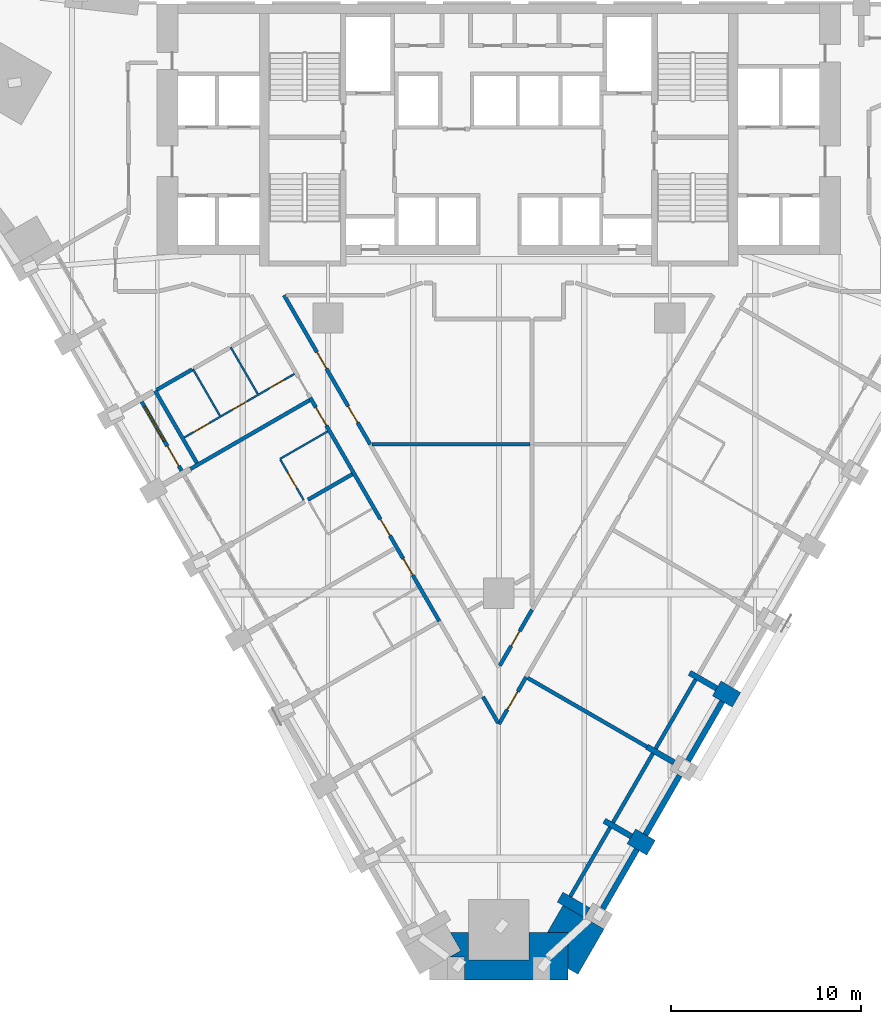
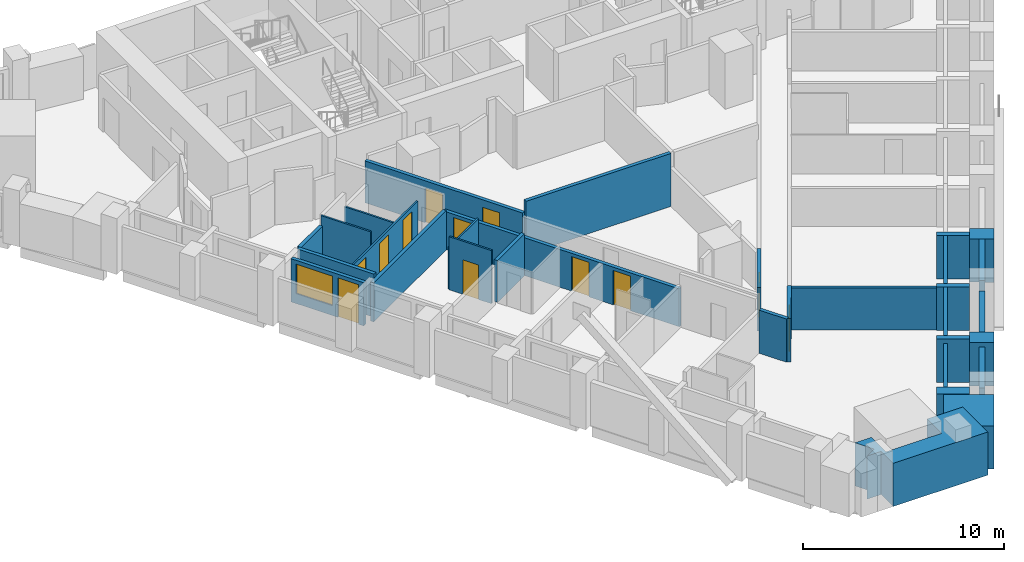
# One storey, part 4 of 11: 31 walls, 12 doors, 1 window, 13 openings.
"""IFC4 building model written with IfcOpenShell, lengths in metres."""

from ifc_helpers import new_model, si_unit, direction, frame, frame_2d, origin, place, context, subcontext, project, spatial, polyline, rectangle, outline, extrude, material, layer, layer_set, type_object, element, fill, save


model = new_model("IFC4")

# Units and contexts
model_context = context("Model", 3, precision=1e-05, world=origin(), true_north=direction((0.0, 1.0)))
body_context = subcontext(model_context, "Body", "Model", "MODEL_VIEW")
ifc_project = project(units=[si_unit("LENGTHUNIT", "METRE"), si_unit("AREAUNIT", "SQUARE_METRE"), si_unit("VOLUMEUNIT", "CUBIC_METRE"), si_unit("PLANEANGLEUNIT", "RADIAN"), si_unit("MASSUNIT", "GRAM", prefix="KILO")], contexts=[model_context])

# Site, building, storey
site_placement = place(None, origin())
site = spatial("IfcSite", under=ifc_project, at=site_placement, CompositionType="ELEMENT")
building_placement = place(site_placement, origin())
building = spatial("IfcBuilding", under=site, at=building_placement, Name="Calabash Gate Tower", CompositionType="ELEMENT")
storey_placement = place(building_placement, frame((0.0, 0.0, 52.800048828125)))
storey = spatial("IfcBuildingStorey", under=building, at=storey_placement, Name="L08", CompositionType="ELEMENT", Elevation=52.800048828125)

# Walls
ifc_material_1 = material(Name="Terracotta brick masonry, exposed face", Category="masonry")
ifc_layer_1 = layer(ifc_material_1, 2.5)
ifc_layer_set_1 = layer_set([ifc_layer_1], Name="Brick corner mass wall 2500")
wall_type_1 = type_object("IfcWallType", Name="Brick corner mass wall 2500", PredefinedType="SOLIDWALL", material=ifc_layer_set_1)
wall_1_placement = place(storey_placement, origin())
element("IfcWall", 1, at=wall_1_placement, inside=storey, type_object=wall_type_1, Name="Brick corner pier S01 2bb", PredefinedType="SOLIDWALL", context=body_context, shape_type="SweptSolid", body=[
    extrude(outline(polyline([(-1.800048828125, -31.18310546875), (-1.800048828125, -32.383056640625), (3.64990234375, -32.383056640625), (3.64990234375, -29.883056640625), (1.60009765625, -29.883056640625), (1.60009765625, -31.3330078125), (-1.60009765625, -31.3330078125), (-1.60009765625, -29.883056640625), (-2.552978515625, -29.883056640625), (-2.004638671875, -30.833251953125), (-2.610595703125, -31.18310546875), (-1.800048828125, -31.18310546875)])), origin(), (0.0, 0.0, 1.0), 2.6298828125),
])
wall_2_placement = place(storey_placement, origin())
element("IfcWall", 2, at=wall_2_placement, inside=storey, type_object=wall_type_1, Name="Brick corner pier S01 2c", PredefinedType="SOLIDWALL", context=body_context, shape_type="SweptSolid", body=[
    extrude(outline(polyline([(4.50537109375, -29.1015625), (3.379638671875, -28.45166015625), (2.552978515625, -29.883056640625), (3.64990234375, -29.883056640625), (3.64990234375, -31.783203125), (4.169677734375, -32.083251953125), (5.54443359375, -29.70166015625), (4.50537109375, -29.101806640625), (4.50537109375, -29.1015625)])), origin(), (0.0, 0.0, 1.0), 2.6298828125),
])
ifc_material_2 = material(Name="Terracotta brick masonry, exposed face", Category="masonry")
ifc_layer_2 = layer(ifc_material_2, 1.199951171875)
ifc_layer_set_2 = layer_set([ifc_layer_2], Name="Brick end wall 1200")
wall_type_2 = type_object("IfcWallType", Name="Brick end wall 1200", PredefinedType="SOLIDWALL", material=ifc_layer_set_2)
for number, where, z_axis, x_axis, name in (
    (3, (6.98046875, -24.814697265625, 0.0), (0.0, 0.0, 1.0), (0.865955154139, -0.50012165622, 0.0), "Brick pier S01 SE2.1"),
    (4, (12.51953125, -17.62060546875, 0.0), (0.0, 0.0, 1.0), (-0.865955154139, 0.50012165622, 0.0), "Brick pier S01 SE2.3"),
):
    element("IfcWall", number, at=place(storey_placement, frame(where, z_axis=z_axis, x_axis=x_axis)), inside=storey, type_object=wall_type_2, Name=name, PredefinedType="SOLIDWALL", context=body_context, shape_type="SweptSolid", body=[
        extrude(rectangle(XDim=1.199951171875, YDim=0.89990234375, at=frame_2d((0.60009765625, 0.0))), origin(), (0.0, 0.0, 1.0), 2.6298828125),
    ])
ifc_material_3 = material(Name="Terracotta brick masonry, exposed face", Category="masonry")
ifc_layer_3 = layer(ifc_material_3, 0.300048828125)
ifc_layer_set_3 = layer_set([ifc_layer_3], Name="Brick infill panel wall 300")
wall_type_3 = type_object("IfcWallType", Name="Brick infill panel wall 300", PredefinedType="SOLIDWALL", material=ifc_layer_set_3)
wall_3_placement = place(storey_placement, frame((5.47509765625, -28.6220703125, 0.0), z_axis=(0.0, 0.0, 1.0), x_axis=(0.499961193289, 0.866047807691, 0.0)))
element("IfcWall", 5, at=wall_3_placement, inside=storey, type_object=wall_type_3, Name="Brick panel S01 SE2.1", PredefinedType="SOLIDWALL", context=body_context, shape_type="SweptSolid", body=[
    extrude(rectangle(XDim=3.599853515625, YDim=0.300048828125, at=frame_2d((1.7998046875, 0.0))), origin(), (0.0, 0.0, 1.0), 2.3740234375),
])
for number, where, z_axis, x_axis, name in (
    (6, (7.72509765625, -24.72509765625, 0.0), (0.0, 0.0, 1.0), (0.499961193289, 0.866047807691, 0.0), "Brick panel S01 SE2.2"),
    (7, (9.97509765625, -20.827880859375, 0.0), (0.0, 0.0, 1.0), (0.499961193289, 0.866047807691, 0.0), "Brick panel S01 SE2.3"),
):
    element("IfcWall", number, at=place(storey_placement, frame(where, z_axis=z_axis, x_axis=x_axis)), inside=storey, type_object=wall_type_3, Name=name, PredefinedType="SOLIDWALL", context=body_context, shape_type="SweptSolid", body=[
        extrude(rectangle(XDim=3.599853515625, YDim=0.300048828125, at=frame_2d((1.7998046875, 0.0))), origin(), (0.0, 0.0, 1.0), 2.6298828125),
    ])
ifc_material_4 = material(Name="Terracotta brick masonry, exposed face", Category="masonry")
ifc_layer_4 = layer(ifc_material_4, 0.300048828125)
ifc_layer_set_4 = layer_set([ifc_layer_4], Name="Brick loggia cheek wall 300")
wall_type_4 = type_object("IfcWallType", Name="Brick loggia cheek wall 300", PredefinedType="SOLIDWALL", material=ifc_layer_set_4)
wall_4_placement = place(storey_placement, frame((3.226318359375, -28.016845703125, 0.0), z_axis=(0.0, 0.0, 1.0), x_axis=(0.866040211805, -0.499974350878, 0.0)))
element("IfcWall", 8, at=wall_4_placement, inside=storey, type_object=wall_type_4, Name="Loggia cheek S01 SE2.0", PredefinedType="SOLIDWALL", context=body_context, shape_type="SweptSolid", body=[
    extrude(rectangle(XDim=1.64990234375, YDim=0.60009765625, at=frame_2d((0.824951171875, 0.0))), origin(), (0.0, 0.0, 1.0), 2.64990234375),
])
wall_5_placement = place(storey_placement, frame((6.98046875, -24.814697265625, 0.0), z_axis=(0.0, 0.0, 1.0), x_axis=(-0.866040211805, 0.499974350878, 0.0)))
element("IfcWall", 9, at=wall_5_placement, inside=storey, type_object=wall_type_4, Name="Loggia cheek S01 SE2.1", PredefinedType="SOLIDWALL", context=body_context, shape_type="SweptSolid", body=[
    extrude(rectangle(XDim=1.64990234375, YDim=0.300048828125, at=frame_2d((0.824951171875, 0.0))), origin(), (0.0, 0.0, 1.0), 2.64990234375),
])
wall_6_placement = place(storey_placement, frame((7.801513671875, -20.092529296875, 0.0), z_axis=(0.0, 0.0, 1.0), x_axis=(0.865976140824, -0.500085316245, 0.0)))
element("IfcWall", 10, at=wall_6_placement, inside=storey, type_object=wall_type_4, Name="Loggia cheek S01 SE2.2", PredefinedType="SOLIDWALL", context=body_context, shape_type="SweptSolid", body=[
    extrude(rectangle(XDim=1.650146484375, YDim=0.300048828125, at=frame_2d((0.8251953125, 0.0))), origin(), (0.0, 0.0, 1.0), 2.64990234375),
])
wall_7_placement = place(storey_placement, frame((11.48046875, -17.0205078125, 0.0), z_axis=(0.0, 0.0, 1.0), x_axis=(-0.866040211805, 0.499974350878, 0.0)))
element("IfcWall", 11, at=wall_7_placement, inside=storey, type_object=wall_type_4, Name="Loggia cheek S01 SE2.3", PredefinedType="SOLIDWALL", context=body_context, shape_type="SweptSolid", body=[
    extrude(rectangle(XDim=1.64990234375, YDim=0.300048828125, at=frame_2d((0.824951171875, 0.0))), origin(), (0.0, 0.0, 1.0), 2.64990234375),
])

# Wall, opening, door
ifc_material_5 = material(Name="Gypsum board on steel studs, mineral wool", Category="steel")
ifc_layer_5 = layer(ifc_material_5, 0.10009765625)
ifc_layer_set_5 = layer_set([ifc_layer_5], Name="Partition 100 gypsum board")
wall_type_5 = type_object("IfcWallType", Name="Partition 100 gypsum board", PredefinedType="PARTITIONING", material=ifc_layer_set_5)
wall_8_placement = place(storey_placement, frame((-11.50927734375, -4.970458984375, 0.0), z_axis=(0.0, 0.0, 1.0), x_axis=(0.500018594424, -0.866014668023, 0.0)))
wall_8 = element("IfcWall", 12, at=wall_8_placement, inside=storey, type_object=wall_type_5, Name="Partition", PredefinedType="PARTITIONING", context=body_context, shape_type="SweptSolid", body=[
    extrude(rectangle(XDim=2.4501953125, YDim=0.10009765625, at=frame_2d((1.22509765625, 0.0))), origin(), (0.0, 0.0, 1.0), 3.22998046875),
])
opening_1_placement = place(wall_8_placement, frame((0.800048828125, 0.0, 0.0)))
opening_1 = element("IfcOpeningElement", 13, at=opening_1_placement, cuts=wall_8, Name="Opening 06-08-002", PredefinedType="OPENING", context=body_context, shape_type="SweptSolid", body=[
    extrude(rectangle(XDim=0.89990234375, YDim=2.10009765625, at=frame_2d((0.449951171875, 1.050048828125))), frame((0.0, 0.06005859375, 0.0), z_axis=(0.0, -1.0, 0.0), x_axis=(1.0, 0.0, 0.0)), (0.0, 0.0, 1.0), 0.1201171875),
])
ifc_material_6 = material(Name="Painted timber door", Category="wood")
door_type_1 = type_object("IfcDoorType", Name="GD6 Accessible en-suite door 900x2100", OperationType="NOTDEFINED", PredefinedType="DOOR", material=ifc_material_6)
door_1_placement = place(opening_1_placement, origin())
door_1 = element("IfcDoor", 14, at=door_1_placement, inside=storey, type_object=door_type_1, Name="Accessible en-suite door", OperationType="SINGLE_SWING_LEFT", OverallHeight=2.10009765625, OverallWidth=0.89990234375, PredefinedType="DOOR", context=body_context, shape_type="SweptSolid", body=[
    extrude(rectangle(XDim=0.89990234375, YDim=2.10009765625, at=frame_2d((0.449951171875, 1.050048828125))), frame((0.0, 0.02490234375, 0.0), z_axis=(0.0, -1.0, 0.0), x_axis=(1.0, 0.0, 0.0)), (0.0, 0.0, 1.0), 0.050048828125),
])
fill(opening_1, door_1)

# Wall, openings, doors
wall_9_placement = place(storey_placement, frame((-16.57373046875, -3.79541015625, 0.0), z_axis=(0.0, 0.0, 1.0), x_axis=(0.866015588977, 0.500016999361, 0.0)))
wall_9 = element("IfcWall", 15, at=wall_9_placement, inside=storey, type_object=wall_type_5, Name="Partition", PredefinedType="PARTITIONING", context=body_context, shape_type="SweptSolid", body=[
    extrude(rectangle(XDim=6.696533203125, YDim=0.10009765625, at=frame_2d((3.34814453125, 0.0))), origin(), (0.0, 0.0, 1.0), 2.384033203125),
])
opening_2_placement = place(wall_9_placement, frame((5.1982421875, 0.0, 0.0)))
opening_2 = element("IfcOpeningElement", 16, at=opening_2_placement, cuts=wall_9, Name="Opening 06-08-021", PredefinedType="OPENING", context=body_context, shape_type="SweptSolid", body=[
    extrude(rectangle(XDim=0.89990234375, YDim=2.10009765625, at=frame_2d((0.449951171875, 1.050048828125))), frame((0.0, 0.06005859375, 0.0), z_axis=(0.0, -1.0, 0.0), x_axis=(1.0, 0.0, 0.0)), (0.0, 0.0, 1.0), 0.1201171875),
])
opening_3_placement = place(wall_9_placement, frame((2.898193359375, 0.0, 0.0)))
opening_3 = element("IfcOpeningElement", 17, at=opening_3_placement, cuts=wall_9, Name="Opening 06-08-022", PredefinedType="OPENING", context=body_context, shape_type="SweptSolid", body=[
    extrude(rectangle(XDim=0.89990234375, YDim=2.10009765625, at=frame_2d((0.449951171875, 1.050048828125))), frame((0.0, 0.06005859375, 0.0), z_axis=(0.0, -1.0, 0.0), x_axis=(1.0, 0.0, 0.0)), (0.0, 0.0, 1.0), 0.1201171875),
])
opening_4_placement = place(wall_9_placement, frame((0.548095703125, 0.0, 0.0)))
opening_4 = element("IfcOpeningElement", 18, at=opening_4_placement, cuts=wall_9, Name="Opening 06-08-023", PredefinedType="OPENING", context=body_context, shape_type="SweptSolid", body=[
    extrude(rectangle(XDim=1.0, YDim=2.10009765625, at=frame_2d((0.5, 1.050048828125))), frame((0.0, 0.06005859375, 0.0), z_axis=(0.0, -1.0, 0.0), x_axis=(1.0, 0.0, 0.0)), (0.0, 0.0, 1.0), 0.1201171875),
])
ifc_material_7 = material(Name="Painted timber door", Category="wood")
door_type_2 = type_object("IfcDoorType", Name="WD1 WC door 900x2100", OperationType="NOTDEFINED", PredefinedType="DOOR", material=ifc_material_7)
door_2_placement = place(opening_2_placement, origin())
door_2 = element("IfcDoor", 19, at=door_2_placement, inside=storey, type_object=door_type_2, Name="WC door", OperationType="SINGLE_SWING_RIGHT", OverallHeight=2.10009765625, OverallWidth=0.89990234375, PredefinedType="DOOR", context=body_context, shape_type="SweptSolid", body=[
    extrude(rectangle(XDim=0.89990234375, YDim=2.10009765625, at=frame_2d((0.449951171875, 1.050048828125))), frame((0.0, 0.02490234375, 0.0), z_axis=(0.0, -1.0, 0.0), x_axis=(1.0, 0.0, 0.0)), (0.0, 0.0, 1.0), 0.050048828125),
])
fill(opening_2, door_2)
door_3_placement = place(opening_3_placement, origin())
door_3 = element("IfcDoor", 20, at=door_3_placement, inside=storey, type_object=door_type_2, Name="WC door", OperationType="SINGLE_SWING_RIGHT", OverallHeight=2.10009765625, OverallWidth=0.89990234375, PredefinedType="DOOR", context=body_context, shape_type="SweptSolid", body=[
    extrude(rectangle(XDim=0.89990234375, YDim=2.10009765625, at=frame_2d((0.449951171875, 1.050048828125))), frame((0.0, 0.02490234375, 0.0), z_axis=(0.0, -1.0, 0.0), x_axis=(1.0, 0.0, 0.0)), (0.0, 0.0, 1.0), 0.050048828125),
])
fill(opening_3, door_3)
ifc_material_8 = material(Name="Painted timber door", Category="wood")
door_type_3 = type_object("IfcDoorType", Name="WD2 Accessible WC door 1000x2100", OperationType="NOTDEFINED", PredefinedType="DOOR", material=ifc_material_8)
door_4_placement = place(opening_4_placement, origin())
door_4 = element("IfcDoor", 21, at=door_4_placement, inside=storey, type_object=door_type_3, Name="Accessible WC door", OperationType="SINGLE_SWING_LEFT", OverallHeight=2.10009765625, OverallWidth=1.0, PredefinedType="DOOR", context=body_context, shape_type="SweptSolid", body=[
    extrude(rectangle(XDim=1.0, YDim=2.10009765625, at=frame_2d((0.5, 1.050048828125))), frame((0.0, 0.02490234375, 0.0), z_axis=(0.0, -1.0, 0.0), x_axis=(1.0, 0.0, 0.0)), (0.0, 0.0, 1.0), 0.050048828125),
])
fill(opening_4, door_4)

# Walls
wall_10_placement = place(storey_placement, frame((-11.5341796875, -4.92724609375, 0.0), z_axis=(0.0, 0.0, 1.0), x_axis=(0.866293497561, 0.499535360193, 0.0)))
element("IfcWall", 22, at=wall_10_placement, inside=storey, type_object=wall_type_5, Name="Partition", PredefinedType="PARTITIONING", context=body_context, shape_type="SweptSolid", body=[
    extrude(rectangle(XDim=2.899658203125, YDim=0.10009765625, at=frame_2d((1.44970703125, 0.0))), origin(), (0.0, 0.0, 1.0), 2.5517578125),
])
wall_11_placement = place(storey_placement, frame((-16.121826171875, -0.185302734375, 0.0), z_axis=(0.0, 0.0, 1.0), x_axis=(0.500026428979, -0.866010144469, 0.0)))
element("IfcWall", 23, at=wall_11_placement, inside=storey, type_object=wall_type_5, Name="Partition", PredefinedType="PARTITIONING", context=body_context, shape_type="SweptSolid", body=[
    extrude(rectangle(XDim=2.850341796875, YDim=0.10009765625, at=frame_2d((1.42529296875, 0.0))), origin(), (0.0, 0.0, 1.0), 3.22998046875),
])
wall_12_placement = place(storey_placement, frame((-14.1298828125, 0.964599609375, 0.0), z_axis=(0.0, 0.0, 1.0), x_axis=(0.499962189394, -0.866047232647, 0.0)))
element("IfcWall", 24, at=wall_12_placement, inside=storey, type_object=wall_type_5, Name="Partition", PredefinedType="PARTITIONING", context=body_context, shape_type="SweptSolid", body=[
    extrude(rectangle(XDim=2.850341796875, YDim=0.10009765625, at=frame_2d((1.42529296875, 0.0))), origin(), (0.0, 0.0, 1.0), 2.384033203125),
])

# Wall, opening, door
ifc_material_9 = material(Name="Gypsum board on steel studs, mineral wool", Category="steel")
ifc_layer_6 = layer(ifc_material_9, 0.199951171875)
ifc_layer_set_6 = layer_set([ifc_layer_6], Name="Partition 200 gypsum board EI 60")
wall_type_6 = type_object("IfcWallType", Name="Partition 200 gypsum board EI 60", PredefinedType="PARTITIONING", material=ifc_layer_set_6)
wall_13_placement = place(storey_placement, frame((0.000244140625, -18.905517578125, 0.0), z_axis=(0.0, 0.0, 1.0), x_axis=(0.50046312627, 0.865757852545, 0.0)))
wall_13 = element("IfcWall", 25, at=wall_13_placement, inside=storey, type_object=wall_type_6, Name="Partition", PredefinedType="PARTITIONING", context=body_context, shape_type="SweptSolid", body=[
    extrude(rectangle(XDim=2.871826171875, YDim=0.199951171875, at=frame_2d((1.43603515625, 0.0))), origin(), (0.0, 0.0, 1.0), 2.6279296875),
])
opening_5_placement = place(wall_13_placement, frame((0.88623046875, 0.0, 0.0)))
opening_5 = element("IfcOpeningElement", 26, at=opening_5_placement, cuts=wall_13, Name="Opening 06-08-029", PredefinedType="OPENING", context=body_context, shape_type="SweptSolid", body=[
    extrude(rectangle(XDim=1.10009765625, YDim=2.10009765625, at=frame_2d((0.550048828125, 1.050048828125))), frame((0.0, 0.10986328125, 0.0), z_axis=(0.0, -1.0, 0.0), x_axis=(1.0, 0.0, 0.0)), (0.0, 0.0, 1.0), 0.219970703125),
])
ifc_material_10 = material(Name="Steel fire door set with fire-resisting glazing", Category="steel")
door_type_4 = type_object("IfcDoorType", Name="GD3 Suite entrance door 1100x2100", OperationType="NOTDEFINED", PredefinedType="DOOR", material=ifc_material_10)
door_5_placement = place(opening_5_placement, origin())
door_5 = element("IfcDoor", 27, at=door_5_placement, inside=storey, type_object=door_type_4, Name="Suite entrance door", OperationType="SINGLE_SWING_LEFT", OverallHeight=2.10009765625, OverallWidth=1.10009765625, PredefinedType="DOOR", context=body_context, shape_type="SweptSolid", body=[
    extrude(rectangle(XDim=1.10009765625, YDim=2.10009765625, at=frame_2d((0.550048828125, 1.050048828125))), frame((0.0, 0.02490234375, 0.0), z_axis=(0.0, -1.0, 0.0), x_axis=(1.0, 0.0, 0.0)), (0.0, 0.0, 1.0), 0.050048828125),
])
fill(opening_5, door_5)

# Walls
wall_14_placement = place(storey_placement, frame((-0.836181640625, -17.45751953125, 0.0), z_axis=(0.0, 0.0, 1.0), x_axis=(0.50013013712, -0.865950256045, 0.0)))
element("IfcWall", 28, at=wall_14_placement, inside=storey, type_object=wall_type_6, Name="Partition", PredefinedType="PARTITIONING", context=body_context, shape_type="SweptSolid", body=[
    extrude(rectangle(XDim=1.572265625, YDim=0.199951171875, at=frame_2d((0.7861328125, 0.0))), origin(), (0.0, 0.0, 1.0), 2.6279296875),
])
wall_15_placement = place(storey_placement, frame((1.522216796875, -16.469482421875, 0.0), z_axis=(0.0, 0.0, 1.0), x_axis=(0.866125590059, -0.499826432119, 0.0)))
element("IfcWall", 29, at=wall_15_placement, inside=storey, type_object=wall_type_6, Name="Partition", PredefinedType="PARTITIONING", context=body_context, shape_type="SweptSolid", body=[
    extrude(rectangle(XDim=7.24951171875, YDim=0.199951171875, at=frame_2d((3.624755859375, 0.0))), origin(), (0.0, 0.0, 1.0), 2.5517578125),
])

# Wall, opening, door
wall_16_placement = place(storey_placement, frame((0.050048828125, -15.818115234375, 0.0), z_axis=(0.0, 0.0, 1.0), x_axis=(0.499521489101, 0.866301495974, 0.0)))
wall_16 = element("IfcWall", 30, at=wall_16_placement, inside=storey, type_object=wall_type_6, Name="Partition", PredefinedType="PARTITIONING", context=body_context, shape_type="SweptSolid", body=[
    extrude(rectangle(XDim=3.400634765625, YDim=0.199951171875, at=frame_2d((1.7001953125, 0.0))), origin(), (0.0, 0.0, 1.0), 2.6279296875),
])
opening_6_placement = place(wall_16_placement, frame((1.199951171875, 0.0, 0.0)))
opening_6 = element("IfcOpeningElement", 31, at=opening_6_placement, cuts=wall_16, Name="Opening 06-08-017", PredefinedType="OPENING", context=body_context, shape_type="SweptSolid", body=[
    extrude(rectangle(XDim=0.89990234375, YDim=2.10009765625, at=frame_2d((0.449951171875, 1.050048828125))), frame((0.0, 0.10986328125, 0.0), z_axis=(0.0, -1.0, 0.0), x_axis=(1.0, 0.0, 0.0)), (0.0, 0.0, 1.0), 0.219970703125),
])
ifc_material_11 = material(Name="Steel fire door set with fire-resisting glazing", Category="steel")
door_type_5 = type_object("IfcDoorType", Name="SD3 Store door 900x2100", OperationType="NOTDEFINED", PredefinedType="DOOR", material=ifc_material_11)
door_6_placement = place(opening_6_placement, origin())
door_6 = element("IfcDoor", 32, at=door_6_placement, inside=storey, type_object=door_type_5, Name="Store door", OperationType="SINGLE_SWING_LEFT", OverallHeight=2.10009765625, OverallWidth=0.89990234375, PredefinedType="DOOR", context=body_context, shape_type="SweptSolid", body=[
    extrude(rectangle(XDim=0.89990234375, YDim=2.10009765625, at=frame_2d((0.449951171875, 1.050048828125))), frame((0.0, 0.02490234375, 0.0), z_axis=(0.0, -1.0, 0.0), x_axis=(1.0, 0.0, 0.0)), (0.0, 0.0, 1.0), 0.050048828125),
])
fill(opening_6, door_6)

# Walls
wall_17_placement = place(storey_placement, frame((-10.06005859375, -7.08056640625, 0.0), z_axis=(0.0, 0.0, 1.0), x_axis=(0.866036505625, 0.499980770555, 0.0)))
element("IfcWall", 33, at=wall_17_placement, inside=storey, type_object=wall_type_6, Name="Partition", PredefinedType="PARTITIONING", context=body_context, shape_type="SweptSolid", body=[
    extrude(rectangle(XDim=2.69970703125, YDim=0.199951171875, at=frame_2d((1.349853515625, 0.0))), origin(), (0.0, 0.0, 1.0), 2.5517578125),
])
wall_18_placement = place(storey_placement, frame((-6.68310546875, -4.156005859375, 0.0), z_axis=(0.0, 0.0, 1.0), x_axis=(0.99999997896, -0.000205134212, 0.0)))
element("IfcWall", 34, at=wall_18_placement, inside=storey, type_object=wall_type_6, Name="Partition", PredefinedType="PARTITIONING", context=body_context, shape_type="SweptSolid", body=[
    extrude(rectangle(XDim=8.3310546875, YDim=0.199951171875, at=frame_2d((4.16552734375, 0.0))), origin(), (0.0, 0.0, 1.0), 3.22998046875),
])
wall_19_placement = place(storey_placement, frame((-16.25146484375, -5.456787109375, 0.0), z_axis=(0.0, 0.0, 1.0), x_axis=(0.865900080757, 0.500217003055, 0.0)))
element("IfcWall", 35, at=wall_19_placement, inside=storey, type_object=wall_type_6, Name="Partition", PredefinedType="PARTITIONING", context=body_context, shape_type="SweptSolid", body=[
    extrude(rectangle(XDim=7.249755859375, YDim=0.199951171875, at=frame_2d((3.625, 0.0))), origin(), (0.0, 0.0, 1.0), 2.384033203125),
])

# Wall, openings, doors
wall_20_placement = place(storey_placement, frame((-9.936767578125, -1.6982421875, 0.0), z_axis=(0.0, 0.0, 1.0), x_axis=(0.500001173101, -0.866024726493, 0.0)))
wall_20 = element("IfcWall", 36, at=wall_20_placement, inside=storey, type_object=wall_type_6, Name="Partition", PredefinedType="PARTITIONING", context=body_context, shape_type="SweptSolid", body=[
    extrude(rectangle(XDim=13.59765625, YDim=0.199951171875, at=frame_2d((6.798828125, 0.0))), origin(), (0.0, 0.0, 1.0), 2.302490234375),
])
opening_7_placement = place(wall_20_placement, frame((0.59765625, 0.0, 0.0)))
opening_7 = element("IfcOpeningElement", 37, at=opening_7_placement, cuts=wall_20, Name="Opening 06-08-001", PredefinedType="OPENING", context=body_context, shape_type="SweptSolid", body=[
    extrude(rectangle(XDim=1.10009765625, YDim=2.10009765625, at=frame_2d((0.550048828125, 1.050048828125))), frame((0.0, 0.10986328125, 0.0), z_axis=(0.0, -1.0, 0.0), x_axis=(1.0, 0.0, 0.0)), (0.0, 0.0, 1.0), 0.219970703125),
])
opening_8_placement = place(wall_20_placement, frame((7.397705078125, 0.0, 0.0)))
opening_8 = element("IfcOpeningElement", 38, at=opening_8_placement, cuts=wall_20, Name="Opening 06-08-003", PredefinedType="OPENING", context=body_context, shape_type="SweptSolid", body=[
    extrude(rectangle(XDim=1.0, YDim=2.10009765625, at=frame_2d((0.5, 1.050048828125))), frame((0.0, 0.10986328125, 0.0), z_axis=(0.0, -1.0, 0.0), x_axis=(1.0, 0.0, 0.0)), (0.0, 0.0, 1.0), 0.219970703125),
])
opening_9_placement = place(wall_20_placement, frame((9.797607421875, 0.0, 0.0)))
opening_9 = element("IfcOpeningElement", 39, at=opening_9_placement, cuts=wall_20, Name="Opening 06-08-005", PredefinedType="OPENING", context=body_context, shape_type="SweptSolid", body=[
    extrude(rectangle(XDim=1.0, YDim=2.10009765625, at=frame_2d((0.5, 1.050048828125))), frame((0.0, 0.10986328125, 0.0), z_axis=(0.0, -1.0, 0.0), x_axis=(1.0, 0.0, 0.0)), (0.0, 0.0, 1.0), 0.219970703125),
])
ifc_material_12 = material(Name="Steel fire door set with fire-resisting glazing", Category="steel")
door_type_6 = type_object("IfcDoorType", Name="GD1 Guest room entrance door 1000x2100", OperationType="NOTDEFINED", PredefinedType="DOOR", material=ifc_material_12)
door_7_placement = place(opening_8_placement, origin())
door_7 = element("IfcDoor", 40, at=door_7_placement, inside=storey, type_object=door_type_6, Name="Guest room entrance door", OperationType="SINGLE_SWING_LEFT", OverallHeight=2.10009765625, OverallWidth=1.0, PredefinedType="DOOR", context=body_context, shape_type="SweptSolid", body=[
    extrude(rectangle(XDim=1.0, YDim=2.10009765625, at=frame_2d((0.5, 1.050048828125))), frame((0.0, 0.02490234375, 0.0), z_axis=(0.0, -1.0, 0.0), x_axis=(1.0, 0.0, 0.0)), (0.0, 0.0, 1.0), 0.050048828125),
])
fill(opening_8, door_7)
door_8_placement = place(opening_9_placement, origin())
door_8 = element("IfcDoor", 41, at=door_8_placement, inside=storey, type_object=door_type_6, Name="Guest room entrance door", OperationType="SINGLE_SWING_RIGHT", OverallHeight=2.10009765625, OverallWidth=1.0, PredefinedType="DOOR", context=body_context, shape_type="SweptSolid", body=[
    extrude(rectangle(XDim=1.0, YDim=2.10009765625, at=frame_2d((0.5, 1.050048828125))), frame((0.0, 0.02490234375, 0.0), z_axis=(0.0, -1.0, 0.0), x_axis=(1.0, 0.0, 0.0)), (0.0, 0.0, 1.0), 0.050048828125),
])
fill(opening_9, door_8)
ifc_material_13 = material(Name="Steel fire door set with fire-resisting glazing", Category="steel")
door_type_7 = type_object("IfcDoorType", Name="GD2 Accessible guest room entrance door 1100x2100", OperationType="NOTDEFINED", PredefinedType="DOOR", material=ifc_material_13)
door_9_placement = place(opening_7_placement, origin())
door_9 = element("IfcDoor", 42, at=door_9_placement, inside=storey, type_object=door_type_7, Name="Accessible guest room entrance door", OperationType="SINGLE_SWING_RIGHT", OverallHeight=2.10009765625, OverallWidth=1.10009765625, PredefinedType="DOOR", context=body_context, shape_type="SweptSolid", body=[
    extrude(rectangle(XDim=1.10009765625, YDim=2.10009765625, at=frame_2d((0.550048828125, 1.050048828125))), frame((0.0, 0.02490234375, 0.0), z_axis=(0.0, -1.0, 0.0), x_axis=(1.0, 0.0, 0.0)), (0.0, 0.0, 1.0), 0.050048828125),
])
fill(opening_7, door_9)

# Walls
wall_21_placement = place(storey_placement, frame((-18.11181640625, -1.33447265625, 0.0), z_axis=(0.0, 0.0, 1.0), x_axis=(0.500522433527, -0.865723566467, 0.0)))
element("IfcWall", 43, at=wall_21_placement, inside=storey, type_object=wall_type_6, Name="Partition", PredefinedType="PARTITIONING", context=body_context, shape_type="SweptSolid", body=[
    extrude(rectangle(XDim=4.402099609375, YDim=0.199951171875, at=frame_2d((2.201171875, 0.0))), origin(), (0.0, 0.0, 1.0), 2.6279296875),
])
wall_22_placement = place(storey_placement, frame((-18.025146484375, -1.284423828125, 0.0), z_axis=(0.0, 0.0, 1.0), x_axis=(0.866399153158, 0.499352087617, 0.0)))
element("IfcWall", 44, at=wall_22_placement, inside=storey, type_object=wall_type_6, Name="Partition", PredefinedType="PARTITIONING", context=body_context, shape_type="SweptSolid", body=[
    extrude(rectangle(XDim=2.149658203125, YDim=0.199951171875, at=frame_2d((1.07470703125, 0.0))), origin(), (0.0, 0.0, 1.0), 2.6279296875),
])

# Wall, openings, doors
wall_23_placement = place(storey_placement, frame((-11.318603515625, 3.69970703125, 0.0), z_axis=(0.0, 0.0, 1.0), x_axis=(0.500165052219, -0.865930089868, 0.0)))
wall_23 = element("IfcWall", 45, at=wall_23_placement, inside=storey, type_object=wall_type_6, Name="Partition", PredefinedType="PARTITIONING", context=body_context, shape_type="SweptSolid", body=[
    extrude(rectangle(XDim=9.07177734375, YDim=0.199951171875, at=frame_2d((4.535888671875, 0.0))), origin(), (0.0, 0.0, 1.0), 2.5517578125),
])
opening_10_placement = place(wall_23_placement, frame((6.75830078125, 0.0, 0.0)))
opening_10 = element("IfcOpeningElement", 46, at=opening_10_placement, cuts=wall_23, Name="Opening 06-08-014", PredefinedType="OPENING", context=body_context, shape_type="SweptSolid", body=[
    extrude(rectangle(XDim=1.0, YDim=2.10009765625, at=frame_2d((0.5, 1.050048828125))), frame((0.0, 0.10986328125, 0.0), z_axis=(0.0, -1.0, 0.0), x_axis=(1.0, 0.0, 0.0)), (0.0, 0.0, 1.0), 0.219970703125),
])
opening_11_placement = place(wall_23_placement, frame((3.4658203125, 0.0, 0.0)))
opening_11 = element("IfcOpeningElement", 47, at=opening_11_placement, cuts=wall_23, Name="Opening 06-08-030", PredefinedType="OPENING", context=body_context, shape_type="SweptSolid", body=[
    extrude(rectangle(XDim=1.0, YDim=2.10009765625, at=frame_2d((0.5, 1.050048828125))), frame((0.0, 0.10986328125, 0.0), z_axis=(0.0, -1.0, 0.0), x_axis=(1.0, 0.0, 0.0)), (0.0, 0.0, 1.0), 0.219970703125),
])
ifc_material_14 = material(Name="Steel fire door set with fire-resisting glazing", Category="steel")
door_type_8 = type_object("IfcDoorType", Name="LD2 Meeting room door 1000x2100", OperationType="NOTDEFINED", PredefinedType="DOOR", material=ifc_material_14)
door_10_placement = place(opening_10_placement, origin())
door_10 = element("IfcDoor", 48, at=door_10_placement, inside=storey, type_object=door_type_8, Name="Meeting room door", OperationType="SINGLE_SWING_RIGHT", OverallHeight=2.10009765625, OverallWidth=1.0, PredefinedType="DOOR", context=body_context, shape_type="SweptSolid", body=[
    extrude(rectangle(XDim=1.0, YDim=2.10009765625, at=frame_2d((0.5, 1.050048828125))), frame((0.0, 0.02490234375, 0.0), z_axis=(0.0, -1.0, 0.0), x_axis=(1.0, 0.0, 0.0)), (0.0, 0.0, 1.0), 0.050048828125),
])
fill(opening_10, door_10)
door_11_placement = place(opening_11_placement, origin())
door_11 = element("IfcDoor", 49, at=door_11_placement, inside=storey, type_object=door_type_8, Name="Meeting room door", OperationType="SINGLE_SWING_LEFT", OverallHeight=2.10009765625, OverallWidth=1.0, PredefinedType="DOOR", context=body_context, shape_type="SweptSolid", body=[
    extrude(rectangle(XDim=1.0, YDim=2.10009765625, at=frame_2d((0.5, 1.050048828125))), frame((0.0, 0.02490234375, 0.0), z_axis=(0.0, -1.0, 0.0), x_axis=(1.0, 0.0, 0.0)), (0.0, 0.0, 1.0), 0.050048828125),
])
fill(opening_11, door_11)

# Wall, openings, door, window
ifc_material_15 = material(Name="Aluminium framed window wall with insulated spandrel", Category="aluminium")
ifc_layer_7 = layer(ifc_material_15, 0.199951171875)
ifc_layer_set_7 = layer_set([ifc_layer_7], Name="Window wall 200")
wall_type_7 = type_object("IfcWallType", Name="Window wall 200", PredefinedType="ELEMENTEDWALL", material=ifc_layer_set_7)
wall_24_placement = place(storey_placement, frame((-18.816162109375, -1.91455078125, 0.0), z_axis=(0.0, 0.0, 1.0), x_axis=(0.500002543286, -0.866023935413, 0.0)))
wall_24 = element("IfcWall", 50, at=wall_24_placement, inside=storey, type_object=wall_type_7, Name="Window wall S01 SW0.3", PredefinedType="ELEMENTEDWALL", context=body_context, shape_type="SweptSolid", body=[
    extrude(rectangle(XDim=4.2001953125, YDim=0.199951171875, at=frame_2d((2.10009765625, 0.0))), origin(), (0.0, 0.0, 1.0), 2.6279296875),
])
opening_12_placement = place(wall_24_placement, frame((0.300048828125, 0.0, 0.60009765625)))
opening_12 = element("IfcOpeningElement", 51, at=opening_12_placement, cuts=wall_24, Name="Opening HW1", PredefinedType="OPENING", context=body_context, shape_type="SweptSolid", body=[
    extrude(rectangle(XDim=2.10009765625, YDim=1.800048828125, at=frame_2d((1.050048828125, 0.89990234375))), frame((0.0, 0.10986328125, 0.0), z_axis=(0.0, -1.0, 0.0), x_axis=(1.0, 0.0, 0.0)), (0.0, 0.0, 1.0), 0.219970703125),
])
opening_13_placement = place(wall_24_placement, frame((2.699951171875, 0.0, 0.0)))
opening_13 = element("IfcOpeningElement", 52, at=opening_13_placement, cuts=wall_24, Name="Opening H1-027", PredefinedType="OPENING", context=body_context, shape_type="SweptSolid", body=[
    extrude(rectangle(XDim=1.199951171875, YDim=2.39990234375, at=frame_2d((0.60009765625, 1.199951171875))), frame((0.0, 0.10986328125, 0.0), z_axis=(0.0, -1.0, 0.0), x_axis=(1.0, 0.0, 0.0)), (0.0, 0.0, 1.0), 0.219970703125),
])
ifc_material_16 = material(Name="Anodised aluminium frame, bronze finish, impact-rated laminated clear glazing", Category="aluminium")
door_type_9 = type_object("IfcDoorType", Name="Loggia door DH1 1200x2400", OperationType="SLIDING_TO_LEFT", PredefinedType="DOOR", material=ifc_material_16)
door_12_placement = place(opening_13_placement, origin())
door_12 = element("IfcDoor", 53, at=door_12_placement, inside=storey, type_object=door_type_9, Name="Loggia door S01 SW0.3", OperationType="SINGLE_SWING_LEFT", OverallHeight=2.39990234375, OverallWidth=1.199951171875, PredefinedType="DOOR", context=body_context, shape_type="SweptSolid", body=[
    extrude(rectangle(XDim=1.199951171875, YDim=2.39990234375, at=frame_2d((0.60009765625, 1.199951171875))), frame((0.0, 0.02490234375, 0.0), z_axis=(0.0, -1.0, 0.0), x_axis=(1.0, 0.0, 0.0)), (0.0, 0.0, 1.0), 0.050048828125),
])
fill(opening_13, door_12)
ifc_material_17 = material(Name="Anodised aluminium frame, bronze finish, impact-rated laminated clear glazing", Category="aluminium")
window_type = type_object("IfcWindowType", Name="Window HW1 2100x1800", PartitioningType="DOUBLE_PANEL_VERTICAL", PredefinedType="WINDOW", material=ifc_material_17)
window_placement = place(opening_12_placement, origin())
window = element("IfcWindow", 54, at=window_placement, inside=storey, type_object=window_type, Name="Window HW1 S01 SW0.3", OverallHeight=1.800048828125, OverallWidth=2.10009765625, PartitioningType="SINGLE_PANEL", PredefinedType="WINDOW", context=body_context, shape_type="SweptSolid", body=[
    extrude(rectangle(XDim=2.10009765625, YDim=1.800048828125, at=frame_2d((1.050048828125, 0.89990234375))), frame((0.0, 0.030029296875, 0.0), z_axis=(0.0, -1.0, 0.0), x_axis=(1.0, 0.0, 0.0)), (0.0, 0.0, 1.0), 0.06005859375),
])
fill(opening_12, window)

# Walls
wall_25_placement = place(storey_placement, frame((3.76611328125, -27.98193359375, 0.0), z_axis=(0.0, 0.0, 1.0), x_axis=(0.500027713859, 0.866009402589, 0.0)))
element("IfcWall", 55, at=wall_25_placement, inside=storey, type_object=wall_type_7, Name="Window wall S01 SE2.1", PredefinedType="ELEMENTEDWALL", context=body_context, shape_type="SweptSolid", body=[
    extrude(rectangle(XDim=4.199951171875, YDim=0.199951171875, at=frame_2d((2.10009765625, 0.0))), origin(), (0.0, 0.0, 1.0), 2.3740234375),
])
wall_26_placement = place(storey_placement, frame((6.01611328125, -24.084716796875, 0.0), z_axis=(0.0, 0.0, 1.0), x_axis=(0.500027713859, 0.866009402589, 0.0)))
element("IfcWall", 56, at=wall_26_placement, inside=storey, type_object=wall_type_7, Name="Window wall S01 SE2.2", PredefinedType="ELEMENTEDWALL", context=body_context, shape_type="SweptSolid", body=[
    extrude(rectangle(XDim=4.199951171875, YDim=0.199951171875, at=frame_2d((2.10009765625, 0.0))), origin(), (0.0, 0.0, 1.0), 2.64990234375),
])
wall_27_placement = place(storey_placement, frame((8.26611328125, -20.187744140625, 0.0), z_axis=(0.0, 0.0, 1.0), x_axis=(0.500002543286, 0.866023935413, 0.0)))
element("IfcWall", 57, at=wall_27_placement, inside=storey, type_object=wall_type_7, Name="Window wall S01 SE2.3", PredefinedType="ELEMENTEDWALL", context=body_context, shape_type="SweptSolid", body=[
    extrude(rectangle(XDim=4.2001953125, YDim=0.199951171875, at=frame_2d((2.10009765625, 0.0))), origin(), (0.0, 0.0, 1.0), 2.64990234375),
])

save(model, "model.ifc")
